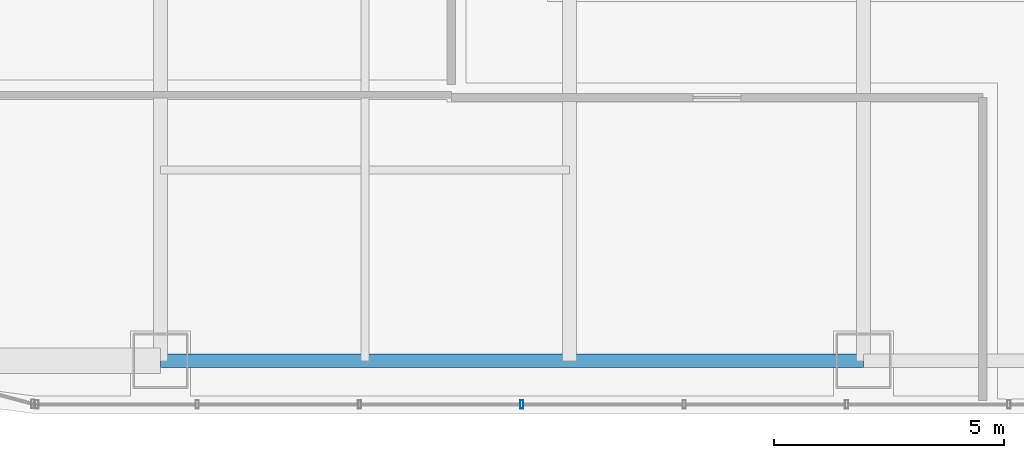
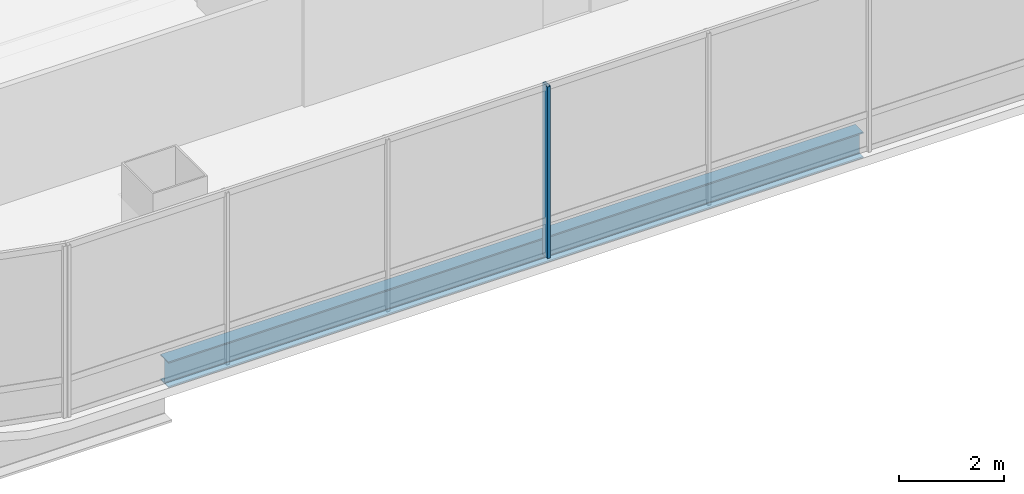
# One storey, part 3 of 41: 1 beam, 1 member, 1 element without a shape of its own.
"""IFC4 building model written with IfcOpenShell, lengths in metres."""

from ifc_helpers import new_model, si_unit, direction, frame, origin, origin_2d, place, context, subcontext, project, spatial, hollow_rectangle, i_section, extrude, material, material_profile, profile_set, type_object, element, aggregate, save


model = new_model("IFC4")

# Units and contexts
model_context = context("Model", 3, precision=1e-05, world=origin(), true_north=direction((0.0, 1.0)))
body_context = subcontext(model_context, "Body", "Model", "MODEL_VIEW")
ifc_project = project(units=[si_unit("LENGTHUNIT", "METRE"), si_unit("AREAUNIT", "SQUARE_METRE"), si_unit("VOLUMEUNIT", "CUBIC_METRE"), si_unit("PLANEANGLEUNIT", "RADIAN"), si_unit("MASSUNIT", "GRAM", prefix="KILO")], contexts=[model_context])

# Site, building, storey
site_placement = place(None, origin())
site = spatial("IfcSite", under=ifc_project, at=site_placement, CompositionType="ELEMENT")
building_placement = place(site_placement, origin())
building = spatial("IfcBuilding", under=site, at=building_placement, Name="Punatoya Terracotta Tower", CompositionType="ELEMENT")
storey_placement = place(building_placement, frame((0.0, 0.0, 292.199951171875)))
storey = spatial("IfcBuildingStorey", under=building, at=storey_placement, Name="L69", CompositionType="ELEMENT", Elevation=292.199951171875)

# Beam
ifc_material_1 = material(Name="Steel S355", Category="steel")
ifc_material_profile_1 = material_profile(ifc_material_1, i_section(OverallWidth=0.300048828125, OverallDepth=0.60009765625, WebThickness=0.015380859375, FlangeThickness=0.030029296875, FilletRadius=0.01806640625, at=origin_2d()))
ifc_profile_set_1 = profile_set([ifc_material_profile_1], Name="Steel S355")
beam_type = type_object("IfcBeamType", Name="BM-PRI-600", PredefinedType="BEAM", material=ifc_profile_set_1)
beam_placement = place(storey_placement, frame((-19.10009765625, -17.5, -0.5), z_axis=(1.0, 0.0, 0.0), x_axis=(0.0, 1.0, 0.0)))
element("IfcBeam", 1, at=beam_placement, inside=storey, type_object=beam_type, Name="BM-L69-RG-S1", PredefinedType="BEAM", context=body_context, shape_type="SweptSolid", body=[
    extrude(i_section(OverallWidth=0.300048828125, OverallDepth=0.60009765625, WebThickness=0.015380859375, FlangeThickness=0.030029296875, FilletRadius=0.01806640625, at=origin_2d()), origin(), (0.0, 0.0, 1.0), 15.300048828125),
])

# Curtain wall, member
ifc_material_2 = material(Name="Aluminium 6063-T6 + Double Low-E Glass", Category="aluminium")
curtain_wall_type = type_object("IfcCurtainWallType", Name="CW-M3", PredefinedType="NOTDEFINED", material=ifc_material_2)
curtain_wall_placement = place(storey_placement, origin())
curtain_wall = element("IfcCurtainWall", 2, at=curtain_wall_placement, inside=storey, type_object=curtain_wall_type, Name="L69 Curtain Wall CW-L69-S01-1", PredefinedType="NOTDEFINED")
ifc_material_3 = material(Name="Aluminium 6063-T6", Category="aluminium")
ifc_material_profile_2 = material_profile(ifc_material_3, hollow_rectangle(XDim=0.070068359375, YDim=0.179931640625, WallThickness=0.00390625, at=origin_2d()))
ifc_profile_set_2 = profile_set([ifc_material_profile_2], Name="Aluminium 6063-T6")
member_type = type_object("IfcMemberType", Name="CW-MUL-M3", PredefinedType="MULLION", material=ifc_profile_set_2)
member_placement = place(storey_placement, frame((-11.235107421875, -18.449951171875, 0.0), z_axis=(0.0, 0.0, 1.0), x_axis=(1.0, 0.0, 0.0)))
member = element("IfcMember", 3, at=member_placement, type_object=member_type, Name="CW-L69-S01-1 Mullion 03", PredefinedType="MULLION", context=body_context, shape_type="SweptSolid", body=[
    extrude(hollow_rectangle(XDim=0.070068359375, YDim=0.179931640625, WallThickness=0.00390625, at=origin_2d()), origin(), (0.0, 0.0, 1.0), 4.0),
])
aggregate(curtain_wall, [member])

save(model, "model.ifc")
